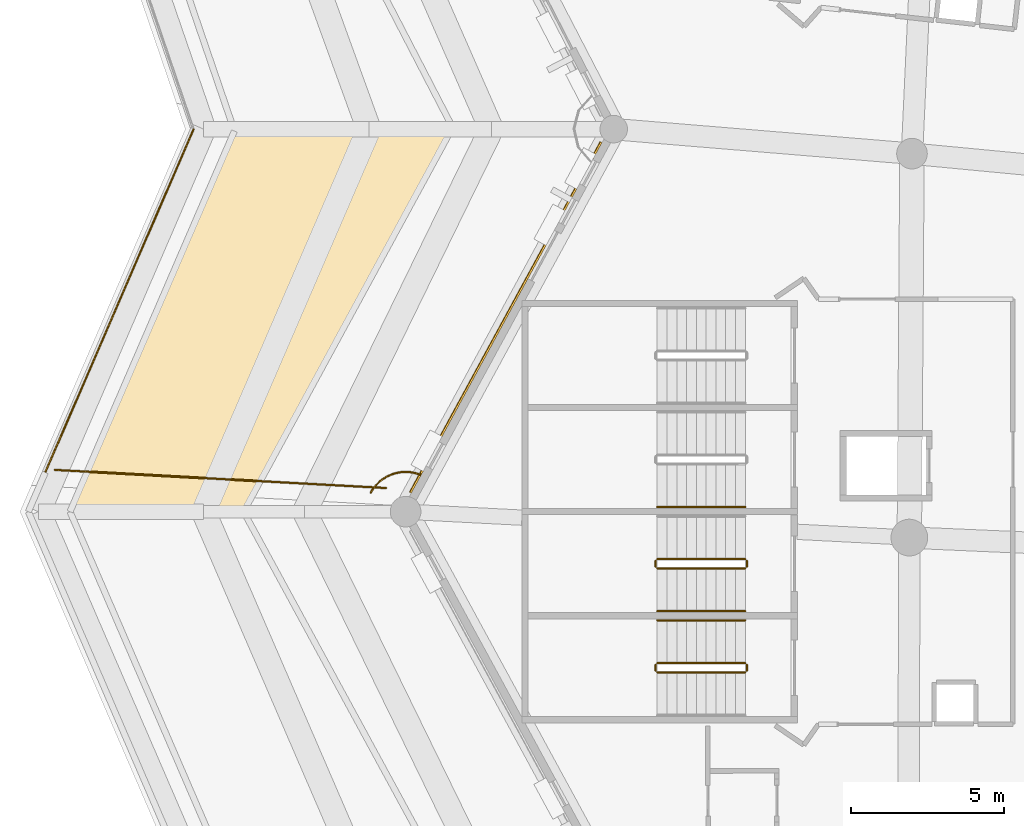
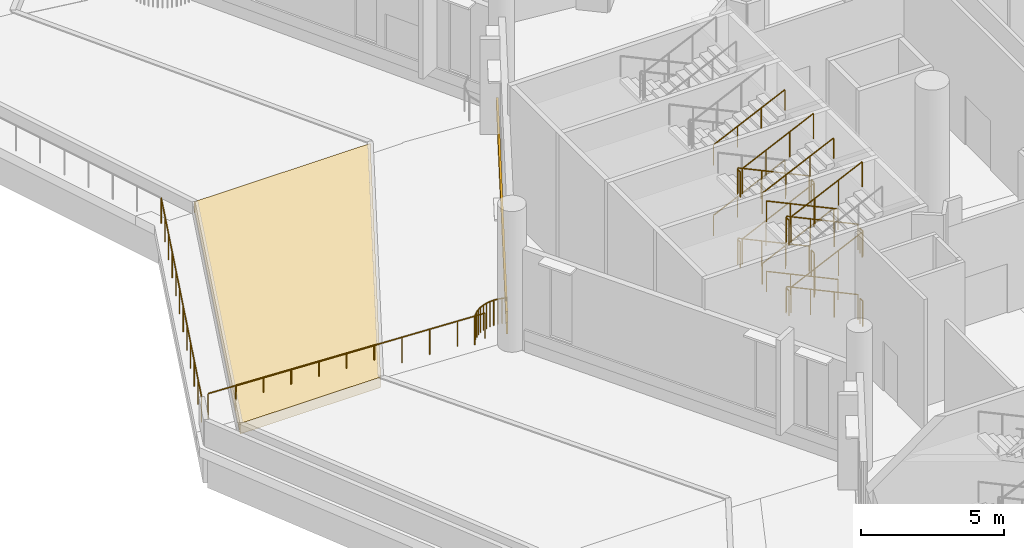
# One storey, part 143 of 173: 36 railings, 3 coverings.
"""IFC4 building model written with IfcOpenShell, lengths in metres."""

from ifc_helpers import new_model, si_unit, direction, frame, origin, origin_2d, place, context, subcontext, project, spatial, polyline, rectangle, circle, outline, extrude, material, layer, layer_set, type_object, element, save


model = new_model("IFC4")

# Units and contexts
model_context = context("Model", 3, precision=1e-05, world=origin(), true_north=direction((0.0, 1.0)))
body_context = subcontext(model_context, "Body", "Model", "MODEL_VIEW")
ifc_project = project(units=[si_unit("LENGTHUNIT", "METRE"), si_unit("AREAUNIT", "SQUARE_METRE"), si_unit("VOLUMEUNIT", "CUBIC_METRE"), si_unit("PLANEANGLEUNIT", "RADIAN"), si_unit("MASSUNIT", "GRAM", prefix="KILO")], contexts=[model_context])

# Site, building, storey
site_placement = place(None, origin())
site = spatial("IfcSite", under=ifc_project, at=site_placement, CompositionType="ELEMENT")
building_placement = place(site_placement, origin())
building = spatial("IfcBuilding", under=site, at=building_placement, Name="Meseta Stadium", CompositionType="ELEMENT")
storey_placement = place(building_placement, frame((0.0, 0.0, 18.0)))
storey = spatial("IfcBuildingStorey", under=building, at=storey_placement, Name="L03", CompositionType="ELEMENT", Elevation=18.0)

# Coverings
ifc_material_1 = material(Name="Guadarrama granite cladding", Category="masonry")
ifc_layer_1 = layer(ifc_material_1, 0.06005859375)
ifc_layer_set_1 = layer_set([ifc_layer_1], Name="Granite plinth cladding 60")
covering_type_1 = type_object("IfcCoveringType", Name="Granite plinth cladding 60", PredefinedType="CLADDING", material=ifc_layer_set_1)
covering_1_placement = place(storey_placement, frame((-98.124267578125, 37.595947265625, 0.0), z_axis=(0.0, 0.0, 1.0), x_axis=(0.47786723231, 0.878432073802, 0.0)))
element("IfcCovering", 1, at=covering_1_placement, inside=storey, type_object=covering_type_1, Name="Granite plinth L03 F29", PredefinedType="CLADDING", context=body_context, shape_type="SweptSolid", body=[
    extrude(rectangle(XDim=13.040283203125, YDim=0.06005859375, at=origin_2d()), origin(), (0.0, 0.0, 1.0), 0.5),
])
ifc_material_2 = material(Name="Planting soil")
ifc_layer_2 = layer(ifc_material_2, 0.449951171875)
ifc_layer_set_2 = layer_set([ifc_layer_2], Name="Planting soil 450")
covering_type_2 = type_object("IfcCoveringType", Name="Planting soil 450", PredefinedType="FLOORING", material=ifc_layer_set_2)
covering_2_placement = place(storey_placement, origin())
element("IfcCovering", 2, at=covering_2_placement, inside=storey, type_object=covering_type_2, Name="Roof garden planting bed 4.1 panel 02", PredefinedType="FLOORING", context=body_context, shape_type="SweptSolid", body=[
    extrude(outline(polyline([(-99.8935546875, 43.75), (-107.0146484375, 43.75), (-106.9931640625, 43.687255859375), (-112.365966796875, 31.25), (-106.693603515625, 31.25), (-99.8935546875, 43.75)])), origin(), (0.0, 0.0, 1.0), 0.449951171875),
])

# Railings
ifc_material_3 = material(Name="Steel S355", Category="steel")
railing_type_1 = type_object("IfcRailingType", Name="Roof garden guard 1100", PredefinedType="GUARDRAIL", material=ifc_material_3)
railing_1_placement = place(storey_placement, frame((-113.16943359375, 32.54248046875, 0.0)))
element("IfcRailing", 3, at=railing_1_placement, inside=storey, type_object=railing_type_1, Name="Roof garden guard 4.28.1", PredefinedType="GUARDRAIL", context=body_context, shape_type="SweptSolid", body=[
    extrude(circle(Radius=0.02490234375, at=origin_2d()), frame((0.0, 0.0, 1.0751953125), z_axis=(0.396579793031, 0.918000254771, 0.0), x_axis=(-0.918000254771, 0.396579793031, 0.0)), (0.0, 0.0, 1.0), 12.197265625),
    extrude(circle(Radius=0.02001953125, at=origin_2d()), origin(), (0.0, 0.0, 1.0), 1.050048828125),
    extrude(circle(Radius=0.02001953125, at=origin_2d()), frame((0.439697265625, 1.017822265625, 0.0)), (0.0, 0.0, 1.0), 1.050048828125),
    extrude(circle(Radius=0.02001953125, at=origin_2d()), frame((0.87939453125, 2.035888671875, 0.0)), (0.0, 0.0, 1.0), 1.050048828125),
    extrude(circle(Radius=0.02001953125, at=origin_2d()), frame((1.3193359375, 3.0537109375, 0.0)), (0.0, 0.0, 1.0), 1.050048828125),
    extrude(circle(Radius=0.02001953125, at=origin_2d()), frame((1.759033203125, 4.071533203125, 0.0)), (0.0, 0.0, 1.0), 1.050048828125),
    extrude(circle(Radius=0.02001953125, at=origin_2d()), frame((2.19873046875, 5.089599609375, 0.0)), (0.0, 0.0, 1.0), 1.050048828125),
    extrude(circle(Radius=0.02001953125, at=origin_2d()), frame((2.638427734375, 6.107421875, 0.0)), (0.0, 0.0, 1.0), 1.050048828125),
    extrude(circle(Radius=0.02001953125, at=origin_2d()), frame((3.078125, 7.12548828125, 0.0)), (0.0, 0.0, 1.0), 1.050048828125),
    extrude(circle(Radius=0.02001953125, at=origin_2d()), frame((3.517822265625, 8.143310546875, 0.0)), (0.0, 0.0, 1.0), 1.050048828125),
    extrude(circle(Radius=0.02001953125, at=origin_2d()), frame((3.957763671875, 9.1611328125, 0.0)), (0.0, 0.0, 1.0), 1.050048828125),
    extrude(circle(Radius=0.02001953125, at=origin_2d()), frame((4.3974609375, 10.17919921875, 0.0)), (0.0, 0.0, 1.0), 1.050048828125),
    extrude(circle(Radius=0.02001953125, at=origin_2d()), frame((4.837158203125, 11.197021484375, 0.0)), (0.0, 0.0, 1.0), 1.050048828125),
])
railing_2_placement = place(storey_placement, frame((-102.036376953125, 32.022216796875, 0.0)))
element("IfcRailing", 4, at=railing_2_placement, inside=storey, type_object=railing_type_1, Name="Roof garden end guard 1", PredefinedType="GUARDRAIL", context=body_context, shape_type="SweptSolid", body=[
    extrude(circle(Radius=0.02490234375, at=origin_2d()), frame((0.0, 0.0, 1.0751953125), z_axis=(-0.998501427813, 0.054725667253, 0.0), x_axis=(-0.054725667253, -0.998501427813, 0.0)), (0.0, 0.0, 1.0), 10.84521484375),
    extrude(circle(Radius=0.02001953125, at=origin_2d()), origin(), (0.0, 0.0, 1.0), 1.050048828125),
    extrude(circle(Radius=0.02001953125, at=origin_2d()), frame((-1.0830078125, 0.059326171875, 0.0)), (0.0, 0.0, 1.0), 1.050048828125),
    extrude(circle(Radius=0.02001953125, at=origin_2d()), frame((-2.165771484375, 0.11865234375, 0.0)), (0.0, 0.0, 1.0), 1.050048828125),
    extrude(circle(Radius=0.02001953125, at=origin_2d()), frame((-3.24853515625, 0.177978515625, 0.0)), (0.0, 0.0, 1.0), 1.050048828125),
    extrude(circle(Radius=0.02001953125, at=origin_2d()), frame((-4.33154296875, 0.2373046875, 0.0)), (0.0, 0.0, 1.0), 1.050048828125),
    extrude(circle(Radius=0.02001953125, at=origin_2d()), frame((-5.41455078125, 0.296875, 0.0)), (0.0, 0.0, 1.0), 1.050048828125),
    extrude(circle(Radius=0.02001953125, at=origin_2d()), frame((-6.497314453125, 0.356201171875, 0.0)), (0.0, 0.0, 1.0), 1.050048828125),
    extrude(circle(Radius=0.02001953125, at=origin_2d()), frame((-7.580078125, 0.41552734375, 0.0)), (0.0, 0.0, 1.0), 1.050048828125),
    extrude(circle(Radius=0.02001953125, at=origin_2d()), frame((-8.6630859375, 0.474853515625, 0.0)), (0.0, 0.0, 1.0), 1.050048828125),
    extrude(circle(Radius=0.02001953125, at=origin_2d()), frame((-9.74609375, 0.5341796875, 0.0)), (0.0, 0.0, 1.0), 1.050048828125),
    extrude(circle(Radius=0.02001953125, at=origin_2d()), frame((-10.828857421875, 0.593505859375, 0.0)), (0.0, 0.0, 1.0), 1.050048828125),
])
railing_3_placement = place(storey_placement, frame((-100.919921875, 32.4580078125, 0.0)))
element("IfcRailing", 5, at=railing_3_placement, inside=storey, type_object=railing_type_1, Name="Roof garden pit guard 31.3.1", PredefinedType="GUARDRAIL", context=body_context, shape_type="SweptSolid", body=[
    extrude(circle(Radius=0.02490234375, at=origin_2d()), frame((0.0, 0.0, 1.0751953125), z_axis=(-0.949757042163, 0.312988116167, 0.0), x_axis=(-0.312988116167, -0.949757042163, 0.0)), (0.0, 0.0, 1.0), 0.158447265625),
    extrude(circle(Radius=0.02001953125, at=origin_2d()), origin(), (0.0, 0.0, 1.0), 1.050048828125),
    extrude(circle(Radius=0.02001953125, at=origin_2d()), frame((-0.150390625, 0.049560546875, 0.0)), (0.0, 0.0, 1.0), 1.050048828125),
])
railing_4_placement = place(storey_placement, frame((-101.0703125, 32.507568359375, 0.0)))
element("IfcRailing", 6, at=railing_4_placement, inside=storey, type_object=railing_type_1, Name="Roof garden pit guard 31.3.2", PredefinedType="GUARDRAIL", context=body_context, shape_type="SweptSolid", body=[
    extrude(circle(Radius=0.02490234375, at=origin_2d()), frame((0.0, 0.0, 1.0751953125), z_axis=(-0.981227972384, 0.192851409667, 0.0), x_axis=(-0.192851409667, -0.981227972384, 0.0)), (0.0, 0.0, 1.0), 0.158203125),
    extrude(circle(Radius=0.02001953125, at=origin_2d()), origin(), (0.0, 0.0, 1.0), 1.050048828125),
    extrude(circle(Radius=0.02001953125, at=origin_2d()), frame((-0.1552734375, 0.030517578125, 0.0)), (0.0, 0.0, 1.0), 1.050048828125),
])
railing_5_placement = place(storey_placement, frame((-101.2255859375, 32.5380859375, 0.0)))
element("IfcRailing", 7, at=railing_5_placement, inside=storey, type_object=railing_type_1, Name="Roof garden pit guard 31.3.3", PredefinedType="GUARDRAIL", context=body_context, shape_type="SweptSolid", body=[
    extrude(circle(Radius=0.02490234375, at=origin_2d()), frame((0.0, 0.0, 1.0751953125), z_axis=(-0.997250880147, 0.074099136605, 0.0), x_axis=(-0.074099136605, -0.997250880147, 0.0)), (0.0, 0.0, 1.0), 0.158203125),
    extrude(circle(Radius=0.02001953125, at=origin_2d()), origin(), (0.0, 0.0, 1.0), 1.050048828125),
    extrude(circle(Radius=0.02001953125, at=origin_2d()), frame((-0.15771484375, 0.01171875, 0.0)), (0.0, 0.0, 1.0), 1.050048828125),
])
railing_6_placement = place(storey_placement, frame((-101.38330078125, 32.5498046875, 0.0)))
element("IfcRailing", 8, at=railing_6_placement, inside=storey, type_object=railing_type_1, Name="Roof garden pit guard 31.3.4", PredefinedType="GUARDRAIL", context=body_context, shape_type="SweptSolid", body=[
    extrude(circle(Radius=0.02490234375, at=origin_2d()), frame((0.0, 0.0, 1.0751953125), z_axis=(-0.998857651251, -0.047784856773, 0.0), x_axis=(0.047784856773, -0.998857651251, 0.0)), (0.0, 0.0, 1.0), 0.158447265625),
    extrude(circle(Radius=0.02001953125, at=origin_2d()), origin(), (0.0, 0.0, 1.0), 1.050048828125),
    extrude(circle(Radius=0.02001953125, at=origin_2d()), frame((-0.158203125, -0.007568359375, 0.0)), (0.0, 0.0, 1.0), 1.050048828125),
])
railing_7_placement = place(storey_placement, frame((-101.54150390625, 32.542236328125, 0.0)))
element("IfcRailing", 9, at=railing_7_placement, inside=storey, type_object=railing_type_1, Name="Roof garden pit guard 31.3.5", PredefinedType="GUARDRAIL", context=body_context, shape_type="SweptSolid", body=[
    extrude(circle(Radius=0.02490234375, at=origin_2d()), frame((0.0, 0.0, 1.0751953125), z_axis=(-0.985504604449, -0.169648679952, 0.0), x_axis=(0.169648679952, -0.985504604449, 0.0)), (0.0, 0.0, 1.0), 0.158203125),
    extrude(circle(Radius=0.02001953125, at=origin_2d()), origin(), (0.0, 0.0, 1.0), 1.050048828125),
    extrude(circle(Radius=0.02001953125, at=origin_2d()), frame((-0.156005859375, -0.02685546875, 0.0)), (0.0, 0.0, 1.0), 1.050048828125),
])
railing_8_placement = place(storey_placement, frame((-101.697509765625, 32.515380859375, 0.0)))
element("IfcRailing", 10, at=railing_8_placement, inside=storey, type_object=railing_type_1, Name="Roof garden pit guard 31.3.6", PredefinedType="GUARDRAIL", context=body_context, shape_type="SweptSolid", body=[
    extrude(circle(Radius=0.02490234375, at=origin_2d()), frame((0.0, 0.0, 1.0751953125), z_axis=(-0.957953561628, -0.28692328899, 0.0), x_axis=(0.28692328899, -0.957953561628, 0.0)), (0.0, 0.0, 1.0), 0.158203125),
    extrude(circle(Radius=0.02001953125, at=origin_2d()), origin(), (0.0, 0.0, 1.0), 1.050048828125),
    extrude(circle(Radius=0.02001953125, at=origin_2d()), frame((-0.151611328125, -0.04541015625, 0.0)), (0.0, 0.0, 1.0), 1.050048828125),
])
railing_9_placement = place(storey_placement, frame((-101.84912109375, 32.469970703125, 0.0)))
element("IfcRailing", 11, at=railing_9_placement, inside=storey, type_object=railing_type_1, Name="Roof garden pit guard 31.3.7", PredefinedType="GUARDRAIL", context=body_context, shape_type="SweptSolid", body=[
    extrude(circle(Radius=0.02490234375, at=origin_2d()), frame((0.0, 0.0, 1.0751953125), z_axis=(-0.915838034441, -0.401547873448, 0.0), x_axis=(0.401547873448, -0.915838034441, 0.0)), (0.0, 0.0, 1.0), 0.157958984375),
    extrude(circle(Radius=0.02001953125, at=origin_2d()), origin(), (0.0, 0.0, 1.0), 1.050048828125),
    extrude(circle(Radius=0.02001953125, at=origin_2d()), frame((-0.144775390625, -0.0634765625, 0.0)), (0.0, 0.0, 1.0), 1.050048828125),
])
railing_10_placement = place(storey_placement, frame((-101.993896484375, 32.406494140625, 0.0)))
element("IfcRailing", 12, at=railing_10_placement, inside=storey, type_object=railing_type_1, Name="Roof garden pit guard 31.3.8", PredefinedType="GUARDRAIL", context=body_context, shape_type="SweptSolid", body=[
    extrude(circle(Radius=0.02490234375, at=origin_2d()), frame((0.0, 0.0, 1.0751953125), z_axis=(-0.859664129124, -0.510859653034, 0.0), x_axis=(0.510859653034, -0.859664129124, 0.0)), (0.0, 0.0, 1.0), 0.158203125),
    extrude(circle(Radius=0.02001953125, at=origin_2d()), origin(), (0.0, 0.0, 1.0), 1.050048828125),
    extrude(circle(Radius=0.02001953125, at=origin_2d()), frame((-0.135986328125, -0.080810546875, 0.0)), (0.0, 0.0, 1.0), 1.050048828125),
])
railing_11_placement = place(storey_placement, frame((-102.1298828125, 32.32568359375, 0.0)))
element("IfcRailing", 13, at=railing_11_placement, inside=storey, type_object=railing_type_1, Name="Roof garden pit guard 31.3.9", PredefinedType="GUARDRAIL", context=body_context, shape_type="SweptSolid", body=[
    extrude(circle(Radius=0.02490234375, at=origin_2d()), frame((0.0, 0.0, 1.0751953125), z_axis=(-0.792165422285, -0.61030643429, 0.0), x_axis=(0.61030643429, -0.792165422285, 0.0)), (0.0, 0.0, 1.0), 0.158447265625),
    extrude(circle(Radius=0.02001953125, at=origin_2d()), origin(), (0.0, 0.0, 1.0), 1.050048828125),
    extrude(circle(Radius=0.02001953125, at=origin_2d()), frame((-0.12548828125, -0.0966796875, 0.0)), (0.0, 0.0, 1.0), 1.050048828125),
])
railing_12_placement = place(storey_placement, frame((-102.25537109375, 32.22900390625, 0.0)))
element("IfcRailing", 14, at=railing_12_placement, inside=storey, type_object=railing_type_1, Name="Roof garden pit guard 31.3.10", PredefinedType="GUARDRAIL", context=body_context, shape_type="SweptSolid", body=[
    extrude(circle(Radius=0.02490234375, at=origin_2d()), frame((0.0, 0.0, 1.0751953125), z_axis=(-0.711723216787, -0.702460007891, 0.0), x_axis=(0.702460007891, -0.711723216787, 0.0)), (0.0, 0.0, 1.0), 0.158203125),
    extrude(circle(Radius=0.02001953125, at=origin_2d()), origin(), (0.0, 0.0, 1.0), 1.050048828125),
    extrude(circle(Radius=0.02001953125, at=origin_2d()), frame((-0.112548828125, -0.111083984375, 0.0)), (0.0, 0.0, 1.0), 1.050048828125),
])
railing_13_placement = place(storey_placement, frame((-102.367919921875, 32.117919921875, 0.0)))
element("IfcRailing", 15, at=railing_13_placement, inside=storey, type_object=railing_type_1, Name="Roof garden pit guard 31.3.11", PredefinedType="GUARDRAIL", context=body_context, shape_type="SweptSolid", body=[
    extrude(circle(Radius=0.02490234375, at=origin_2d()), frame((0.0, 0.0, 1.0751953125), z_axis=(-0.620742396396, -0.784014589989, 0.0), x_axis=(0.784014589989, -0.620742396396, 0.0)), (0.0, 0.0, 1.0), 0.158447265625),
    extrude(circle(Radius=0.02001953125, at=origin_2d()), origin(), (0.0, 0.0, 1.0), 1.050048828125),
    extrude(circle(Radius=0.02001953125, at=origin_2d()), frame((-0.098388671875, -0.124267578125, 0.0)), (0.0, 0.0, 1.0), 1.050048828125),
])
railing_14_placement = place(storey_placement, frame((-102.46630859375, 31.99365234375, 0.0)))
element("IfcRailing", 16, at=railing_14_placement, inside=storey, type_object=railing_type_1, Name="Roof garden pit guard 31.3.12", PredefinedType="GUARDRAIL", context=body_context, shape_type="SweptSolid", body=[
    extrude(circle(Radius=0.02490234375, at=origin_2d()), frame((0.0, 0.0, 1.0751953125), z_axis=(-0.520906152321, -0.853613952835, 0.0), x_axis=(0.853613952835, -0.520906152321, 0.0)), (0.0, 0.0, 1.0), 0.145263671875),
    extrude(circle(Radius=0.02001953125, at=origin_2d()), origin(), (0.0, 0.0, 1.0), 1.050048828125),
    extrude(circle(Radius=0.02001953125, at=origin_2d()), frame((-0.07568359375, -0.1240234375, 0.0)), (0.0, 0.0, 1.0), 1.050048828125),
])
ifc_material_4 = material(Name="Steel S355", Category="steel")
railing_type_2 = type_object("IfcRailingType", Name="Stair guard 1100", PredefinedType="GUARDRAIL", material=ifc_material_4)
railing_15_placement = place(storey_placement, frame((-90.300048828125, 29.699951171875, 0.14990234375)))
element("IfcRailing", 17, at=railing_15_placement, inside=storey, type_object=railing_type_2, Name="ST63 L03 guard 1", PredefinedType="GUARDRAIL", context=body_context, shape_type="SweptSolid", body=[
    extrude(circle(Radius=0.02392578125, at=origin_2d()), frame((0.0, 0.0, 1.076171875), z_axis=(-0.905440498372, 0.0, 0.424473207528), x_axis=(0.0, -1.0, 0.0)), (0.0, 0.0, 1.0), 3.1806640625),
    extrude(circle(Radius=0.02099609375, at=origin_2d()), origin(), (0.0, 0.0, 1.0), 1.052001953125),
    extrude(circle(Radius=0.02099609375, at=origin_2d()), frame((-0.9599609375, 0.0, 0.449951171875)), (0.0, 0.0, 1.0), 1.052001953125),
    extrude(circle(Radius=0.02099609375, at=origin_2d()), frame((-1.919921875, 0.0, 0.900146484375)), (0.0, 0.0, 1.0), 1.052001953125),
    extrude(circle(Radius=0.02099609375, at=origin_2d()), frame((-2.8798828125, 0.0, 1.35009765625)), (0.0, 0.0, 1.0), 1.052001953125),
])
railing_16_placement = place(storey_placement, frame((-93.22998046875, 29.64990234375, 1.5)))
element("IfcRailing", 18, at=railing_16_placement, inside=storey, type_object=railing_type_2, Name="ST63 L03 guard 2", PredefinedType="GUARDRAIL", context=body_context, shape_type="SweptSolid", body=[
    extrude(circle(Radius=0.02392578125, at=origin_2d()), frame((0.0, 0.0, 1.076171875), z_axis=(0.0, -1.0, 0.0), x_axis=(1.0, 0.0, 0.0)), (0.0, 0.0, 1.0), 0.199951171875),
    extrude(circle(Radius=0.02099609375, at=origin_2d()), origin(), (0.0, 0.0, 1.0), 1.052001953125),
    extrude(circle(Radius=0.02099609375, at=origin_2d()), frame((0.0, -0.199951171875, 0.0)), (0.0, 0.0, 1.0), 1.052001953125),
])
railing_17_placement = place(storey_placement, frame((-93.179931640625, 29.39990234375, 1.64990234375)))
element("IfcRailing", 19, at=railing_17_placement, inside=storey, type_object=railing_type_2, Name="ST63 L03 guard 3", PredefinedType="GUARDRAIL", context=body_context, shape_type="SweptSolid", body=[
    extrude(circle(Radius=0.02392578125, at=origin_2d()), frame((0.0, 0.0, 1.076171875), z_axis=(0.905440498372, 0.0, 0.424473207528), x_axis=(0.0, 1.0, 0.0)), (0.0, 0.0, 1.0), 3.1806640625),
    extrude(circle(Radius=0.02099609375, at=origin_2d()), origin(), (0.0, 0.0, 1.0), 1.052001953125),
    extrude(circle(Radius=0.02099609375, at=origin_2d()), frame((0.9599609375, 0.0, 0.449951171875)), (0.0, 0.0, 1.0), 1.052001953125),
    extrude(circle(Radius=0.02099609375, at=origin_2d()), frame((1.919921875, 0.0, 0.900146484375)), (0.0, 0.0, 1.0), 1.052001953125),
    extrude(circle(Radius=0.02099609375, at=origin_2d()), frame((2.8798828125, 0.0, 1.35009765625)), (0.0, 0.0, 1.0), 1.052001953125),
])
railing_18_placement = place(storey_placement, frame((-90.25, 29.64990234375, 3.0)))
element("IfcRailing", 20, at=railing_18_placement, inside=storey, type_object=railing_type_2, Name="ST63 L03 guard 4", PredefinedType="GUARDRAIL", context=body_context, shape_type="SweptSolid", body=[
    extrude(circle(Radius=0.02392578125, at=origin_2d()), frame((0.0, 0.0, 1.076171875), z_axis=(0.0, -1.0, 0.0), x_axis=(1.0, 0.0, 0.0)), (0.0, 0.0, 1.0), 0.199951171875),
    extrude(circle(Radius=0.02099609375, at=origin_2d()), origin(), (0.0, 0.0, 1.0), 1.052001953125),
    extrude(circle(Radius=0.02099609375, at=origin_2d()), frame((0.0, -0.199951171875, 0.0)), (0.0, 0.0, 1.0), 1.052001953125),
])
railing_19_placement = place(storey_placement, frame((-90.300048828125, 29.699951171875, 3.14990234375)))
element("IfcRailing", 21, at=railing_19_placement, inside=storey, type_object=railing_type_2, Name="ST63 L03 guard 5", PredefinedType="GUARDRAIL", context=body_context, shape_type="SweptSolid", body=[
    extrude(circle(Radius=0.02392578125, at=origin_2d()), frame((0.0, 0.0, 1.076171875), z_axis=(-0.905440498372, 0.0, 0.424473207528), x_axis=(0.0, -1.0, 0.0)), (0.0, 0.0, 1.0), 3.1806640625),
    extrude(circle(Radius=0.02099609375, at=origin_2d()), origin(), (0.0, 0.0, 1.0), 1.052001953125),
    extrude(circle(Radius=0.02099609375, at=origin_2d()), frame((-0.9599609375, 0.0, 0.449951171875)), (0.0, 0.0, 1.0), 1.052001953125),
    extrude(circle(Radius=0.02099609375, at=origin_2d()), frame((-1.919921875, 0.0, 0.900146484375)), (0.0, 0.0, 1.0), 1.052001953125),
    extrude(circle(Radius=0.02099609375, at=origin_2d()), frame((-2.8798828125, 0.0, 1.35009765625)), (0.0, 0.0, 1.0), 1.052001953125),
])
railing_20_placement = place(storey_placement, frame((-93.22998046875, 29.64990234375, 4.5)))
element("IfcRailing", 22, at=railing_20_placement, inside=storey, type_object=railing_type_2, Name="ST63 L03 guard 6", PredefinedType="GUARDRAIL", context=body_context, shape_type="SweptSolid", body=[
    extrude(circle(Radius=0.02392578125, at=origin_2d()), frame((0.0, 0.0, 1.076171875), z_axis=(0.0, -1.0, 0.0), x_axis=(1.0, 0.0, 0.0)), (0.0, 0.0, 1.0), 0.199951171875),
    extrude(circle(Radius=0.02099609375, at=origin_2d()), origin(), (0.0, 0.0, 1.0), 1.052001953125),
    extrude(circle(Radius=0.02099609375, at=origin_2d()), frame((0.0, -0.199951171875, 0.0)), (0.0, 0.0, 1.0), 1.052001953125),
])
railing_21_placement = place(storey_placement, frame((-93.179931640625, 29.39990234375, 4.64990234375)))
element("IfcRailing", 23, at=railing_21_placement, inside=storey, type_object=railing_type_2, Name="ST63 L03 guard 7", PredefinedType="GUARDRAIL", context=body_context, shape_type="SweptSolid", body=[
    extrude(circle(Radius=0.02392578125, at=origin_2d()), frame((0.0, 0.0, 1.076171875), z_axis=(0.905440498372, 0.0, 0.424473207528), x_axis=(0.0, 1.0, 0.0)), (0.0, 0.0, 1.0), 3.1806640625),
    extrude(circle(Radius=0.02099609375, at=origin_2d()), origin(), (0.0, 0.0, 1.0), 1.052001953125),
    extrude(circle(Radius=0.02099609375, at=origin_2d()), frame((0.9599609375, 0.0, 0.449951171875)), (0.0, 0.0, 1.0), 1.052001953125),
    extrude(circle(Radius=0.02099609375, at=origin_2d()), frame((1.919921875, 0.0, 0.900146484375)), (0.0, 0.0, 1.0), 1.052001953125),
    extrude(circle(Radius=0.02099609375, at=origin_2d()), frame((2.8798828125, 0.0, 1.35009765625)), (0.0, 0.0, 1.0), 1.052001953125),
])
railing_22_placement = place(storey_placement, frame((-90.25, 29.64990234375, 0.0)))
element("IfcRailing", 24, at=railing_22_placement, inside=storey, type_object=railing_type_2, Name="ST63 L03 guard 8", PredefinedType="GUARDRAIL", context=body_context, shape_type="SweptSolid", body=[
    extrude(circle(Radius=0.02392578125, at=origin_2d()), frame((0.0, 0.0, 1.076171875), z_axis=(0.0, -1.0, 0.0), x_axis=(1.0, 0.0, 0.0)), (0.0, 0.0, 1.0), 0.199951171875),
    extrude(circle(Radius=0.02099609375, at=origin_2d()), origin(), (0.0, 0.0, 1.0), 1.052001953125),
    extrude(circle(Radius=0.02099609375, at=origin_2d()), frame((0.0, -0.199951171875, 0.0)), (0.0, 0.0, 1.0), 1.052001953125),
])
railing_23_placement = place(storey_placement, frame((-90.300048828125, 26.300048828125, 0.14990234375)))
element("IfcRailing", 25, at=railing_23_placement, inside=storey, type_object=railing_type_2, Name="ST64 L03 guard 1", PredefinedType="GUARDRAIL", context=body_context, shape_type="SweptSolid", body=[
    extrude(circle(Radius=0.02392578125, at=origin_2d()), frame((0.0, 0.0, 1.076171875), z_axis=(-0.905440498372, 0.0, 0.424473207528), x_axis=(0.0, -1.0, 0.0)), (0.0, 0.0, 1.0), 3.1806640625),
    extrude(circle(Radius=0.02099609375, at=origin_2d()), origin(), (0.0, 0.0, 1.0), 1.052001953125),
    extrude(circle(Radius=0.02099609375, at=origin_2d()), frame((-0.9599609375, 0.0, 0.449951171875)), (0.0, 0.0, 1.0), 1.052001953125),
    extrude(circle(Radius=0.02099609375, at=origin_2d()), frame((-1.919921875, 0.0, 0.900146484375)), (0.0, 0.0, 1.0), 1.052001953125),
    extrude(circle(Radius=0.02099609375, at=origin_2d()), frame((-2.8798828125, 0.0, 1.35009765625)), (0.0, 0.0, 1.0), 1.052001953125),
])
railing_24_placement = place(storey_placement, frame((-93.22998046875, 26.25, 1.5)))
element("IfcRailing", 26, at=railing_24_placement, inside=storey, type_object=railing_type_2, Name="ST64 L03 guard 2", PredefinedType="GUARDRAIL", context=body_context, shape_type="SweptSolid", body=[
    extrude(circle(Radius=0.02392578125, at=origin_2d()), frame((0.0, 0.0, 1.076171875), z_axis=(0.0, -1.0, 0.0), x_axis=(1.0, 0.0, 0.0)), (0.0, 0.0, 1.0), 0.199951171875),
    extrude(circle(Radius=0.02099609375, at=origin_2d()), origin(), (0.0, 0.0, 1.0), 1.052001953125),
    extrude(circle(Radius=0.02099609375, at=origin_2d()), frame((0.0, -0.199951171875, 0.0)), (0.0, 0.0, 1.0), 1.052001953125),
])
railing_25_placement = place(storey_placement, frame((-93.179931640625, 26.0, 1.64990234375)))
element("IfcRailing", 27, at=railing_25_placement, inside=storey, type_object=railing_type_2, Name="ST64 L03 guard 3", PredefinedType="GUARDRAIL", context=body_context, shape_type="SweptSolid", body=[
    extrude(circle(Radius=0.02392578125, at=origin_2d()), frame((0.0, 0.0, 1.076171875), z_axis=(0.905440498372, 0.0, 0.424473207528), x_axis=(0.0, 1.0, 0.0)), (0.0, 0.0, 1.0), 3.1806640625),
    extrude(circle(Radius=0.02099609375, at=origin_2d()), origin(), (0.0, 0.0, 1.0), 1.052001953125),
    extrude(circle(Radius=0.02099609375, at=origin_2d()), frame((0.9599609375, 0.0, 0.449951171875)), (0.0, 0.0, 1.0), 1.052001953125),
    extrude(circle(Radius=0.02099609375, at=origin_2d()), frame((1.919921875, 0.0, 0.900146484375)), (0.0, 0.0, 1.0), 1.052001953125),
    extrude(circle(Radius=0.02099609375, at=origin_2d()), frame((2.8798828125, 0.0, 1.35009765625)), (0.0, 0.0, 1.0), 1.052001953125),
])
railing_26_placement = place(storey_placement, frame((-90.25, 26.25, 3.0)))
element("IfcRailing", 28, at=railing_26_placement, inside=storey, type_object=railing_type_2, Name="ST64 L03 guard 4", PredefinedType="GUARDRAIL", context=body_context, shape_type="SweptSolid", body=[
    extrude(circle(Radius=0.02392578125, at=origin_2d()), frame((0.0, 0.0, 1.076171875), z_axis=(0.0, -1.0, 0.0), x_axis=(1.0, 0.0, 0.0)), (0.0, 0.0, 1.0), 0.199951171875),
    extrude(circle(Radius=0.02099609375, at=origin_2d()), origin(), (0.0, 0.0, 1.0), 1.052001953125),
    extrude(circle(Radius=0.02099609375, at=origin_2d()), frame((0.0, -0.199951171875, 0.0)), (0.0, 0.0, 1.0), 1.052001953125),
])
railing_27_placement = place(storey_placement, frame((-90.300048828125, 26.300048828125, 3.14990234375)))
element("IfcRailing", 29, at=railing_27_placement, inside=storey, type_object=railing_type_2, Name="ST64 L03 guard 5", PredefinedType="GUARDRAIL", context=body_context, shape_type="SweptSolid", body=[
    extrude(circle(Radius=0.02392578125, at=origin_2d()), frame((0.0, 0.0, 1.076171875), z_axis=(-0.905440498372, 0.0, 0.424473207528), x_axis=(0.0, -1.0, 0.0)), (0.0, 0.0, 1.0), 3.1806640625),
    extrude(circle(Radius=0.02099609375, at=origin_2d()), origin(), (0.0, 0.0, 1.0), 1.052001953125),
    extrude(circle(Radius=0.02099609375, at=origin_2d()), frame((-0.9599609375, 0.0, 0.449951171875)), (0.0, 0.0, 1.0), 1.052001953125),
    extrude(circle(Radius=0.02099609375, at=origin_2d()), frame((-1.919921875, 0.0, 0.900146484375)), (0.0, 0.0, 1.0), 1.052001953125),
    extrude(circle(Radius=0.02099609375, at=origin_2d()), frame((-2.8798828125, 0.0, 1.35009765625)), (0.0, 0.0, 1.0), 1.052001953125),
])
railing_28_placement = place(storey_placement, frame((-93.22998046875, 26.25, 4.5)))
element("IfcRailing", 30, at=railing_28_placement, inside=storey, type_object=railing_type_2, Name="ST64 L03 guard 6", PredefinedType="GUARDRAIL", context=body_context, shape_type="SweptSolid", body=[
    extrude(circle(Radius=0.02392578125, at=origin_2d()), frame((0.0, 0.0, 1.076171875), z_axis=(0.0, -1.0, 0.0), x_axis=(1.0, 0.0, 0.0)), (0.0, 0.0, 1.0), 0.199951171875),
    extrude(circle(Radius=0.02099609375, at=origin_2d()), origin(), (0.0, 0.0, 1.0), 1.052001953125),
    extrude(circle(Radius=0.02099609375, at=origin_2d()), frame((0.0, -0.199951171875, 0.0)), (0.0, 0.0, 1.0), 1.052001953125),
])
railing_29_placement = place(storey_placement, frame((-93.179931640625, 26.0, 4.64990234375)))
element("IfcRailing", 31, at=railing_29_placement, inside=storey, type_object=railing_type_2, Name="ST64 L03 guard 7", PredefinedType="GUARDRAIL", context=body_context, shape_type="SweptSolid", body=[
    extrude(circle(Radius=0.02392578125, at=origin_2d()), frame((0.0, 0.0, 1.076171875), z_axis=(0.905440498372, 0.0, 0.424473207528), x_axis=(0.0, 1.0, 0.0)), (0.0, 0.0, 1.0), 3.1806640625),
    extrude(circle(Radius=0.02099609375, at=origin_2d()), origin(), (0.0, 0.0, 1.0), 1.052001953125),
    extrude(circle(Radius=0.02099609375, at=origin_2d()), frame((0.9599609375, 0.0, 0.449951171875)), (0.0, 0.0, 1.0), 1.052001953125),
    extrude(circle(Radius=0.02099609375, at=origin_2d()), frame((1.919921875, 0.0, 0.900146484375)), (0.0, 0.0, 1.0), 1.052001953125),
    extrude(circle(Radius=0.02099609375, at=origin_2d()), frame((2.8798828125, 0.0, 1.35009765625)), (0.0, 0.0, 1.0), 1.052001953125),
])
railing_30_placement = place(storey_placement, frame((-90.25, 26.25, 0.0)))
element("IfcRailing", 32, at=railing_30_placement, inside=storey, type_object=railing_type_2, Name="ST64 L03 guard 8", PredefinedType="GUARDRAIL", context=body_context, shape_type="SweptSolid", body=[
    extrude(circle(Radius=0.02392578125, at=origin_2d()), frame((0.0, 0.0, 1.076171875), z_axis=(0.0, -1.0, 0.0), x_axis=(1.0, 0.0, 0.0)), (0.0, 0.0, 1.0), 0.199951171875),
    extrude(circle(Radius=0.02099609375, at=origin_2d()), origin(), (0.0, 0.0, 1.0), 1.052001953125),
    extrude(circle(Radius=0.02099609375, at=origin_2d()), frame((0.0, -0.199951171875, 0.0)), (0.0, 0.0, 1.0), 1.052001953125),
])
ifc_material_5 = material(Name="Steel S355", Category="steel")
railing_type_3 = type_object("IfcRailingType", Name="Stair handrail 900", PredefinedType="HANDRAIL", material=ifc_material_5)
for number, where, name in (
    (33, (-93.179931640625, 31.39990234375, 1.64990234375), "ST62 L03 handrail 2"),
    (34, (-93.179931640625, 31.39990234375, 4.64990234375), "ST62 L03 handrail 4"),
    (35, (-93.179931640625, 28.0, 1.64990234375), "ST63 L03 handrail 2"),
    (36, (-93.179931640625, 28.0, 4.64990234375), "ST63 L03 handrail 4"),
):
    element("IfcRailing", number, at=place(storey_placement, frame(where)), inside=storey, type_object=railing_type_3, Name=name, PredefinedType="HANDRAIL", context=body_context, shape_type="SweptSolid", body=[
        extrude(circle(Radius=0.02392578125, at=origin_2d()), frame((0.0, 0.0, 0.8759765625), z_axis=(0.905440498372, 0.0, 0.424473207528), x_axis=(0.0, 1.0, 0.0)), (0.0, 0.0, 1.0), 3.1806640625),
        extrude(circle(Radius=0.02099609375, at=origin_2d()), origin(), (0.0, 0.0, 1.0), 0.851806640625),
        extrude(circle(Radius=0.02099609375, at=origin_2d()), frame((0.9599609375, 0.0, 0.449951171875)), (0.0, 0.0, 1.0), 0.851806640625),
        extrude(circle(Radius=0.02099609375, at=origin_2d()), frame((1.919921875, 0.0, 0.900146484375)), (0.0, 0.0, 1.0), 0.851806640625),
        extrude(circle(Radius=0.02099609375, at=origin_2d()), frame((2.8798828125, 0.0, 1.35009765625)), (0.0, 0.0, 1.0), 0.851806640625),
    ])
for number, where, name in (
    (37, (-90.300048828125, 27.699951171875, 0.14990234375), "ST64 L03 handrail 1"),
    (38, (-90.300048828125, 27.699951171875, 3.14990234375), "ST64 L03 handrail 3"),
):
    element("IfcRailing", number, at=place(storey_placement, frame(where)), inside=storey, type_object=railing_type_3, Name=name, PredefinedType="HANDRAIL", context=body_context, shape_type="SweptSolid", body=[
        extrude(circle(Radius=0.02392578125, at=origin_2d()), frame((0.0, 0.0, 0.8759765625), z_axis=(-0.905440498372, 0.0, 0.424473207528), x_axis=(0.0, -1.0, 0.0)), (0.0, 0.0, 1.0), 3.1806640625),
        extrude(circle(Radius=0.02099609375, at=origin_2d()), origin(), (0.0, 0.0, 1.0), 0.851806640625),
        extrude(circle(Radius=0.02099609375, at=origin_2d()), frame((-0.9599609375, 0.0, 0.449951171875)), (0.0, 0.0, 1.0), 0.851806640625),
        extrude(circle(Radius=0.02099609375, at=origin_2d()), frame((-1.919921875, 0.0, 0.900146484375)), (0.0, 0.0, 1.0), 0.851806640625),
        extrude(circle(Radius=0.02099609375, at=origin_2d()), frame((-2.8798828125, 0.0, 1.35009765625)), (0.0, 0.0, 1.0), 0.851806640625),
    ])

# Covering
ifc_material_6 = material(Name="Precast concrete C40/50, terracotta pigment", Category="masonry")
ifc_layer_3 = layer(ifc_material_6, 0.080078125)
ifc_layer_set_3 = layer_set([ifc_layer_3], Name="Precast concrete C40/50, terracotta pigment")
covering_type_3 = type_object("IfcCoveringType", Name="Terracotta precast band 80", PredefinedType="CLADDING", material=ifc_layer_set_3)
covering_3_placement = place(storey_placement, frame((-98.133056640625, 37.600830078125, 0.5), z_axis=(0.0, 0.0, 1.0), x_axis=(0.47786723231, 0.878432073802, 0.0)))
element("IfcCovering", 39, at=covering_3_placement, inside=storey, type_object=covering_type_3, Name="Terracotta band L03 F29", PredefinedType="CLADDING", context=body_context, shape_type="SweptSolid", body=[
    extrude(rectangle(XDim=13.040283203125, YDim=0.080078125, at=origin_2d()), origin(), (0.0, 0.0, 1.0), 0.449951171875),
])

save(model, "model.ifc")
